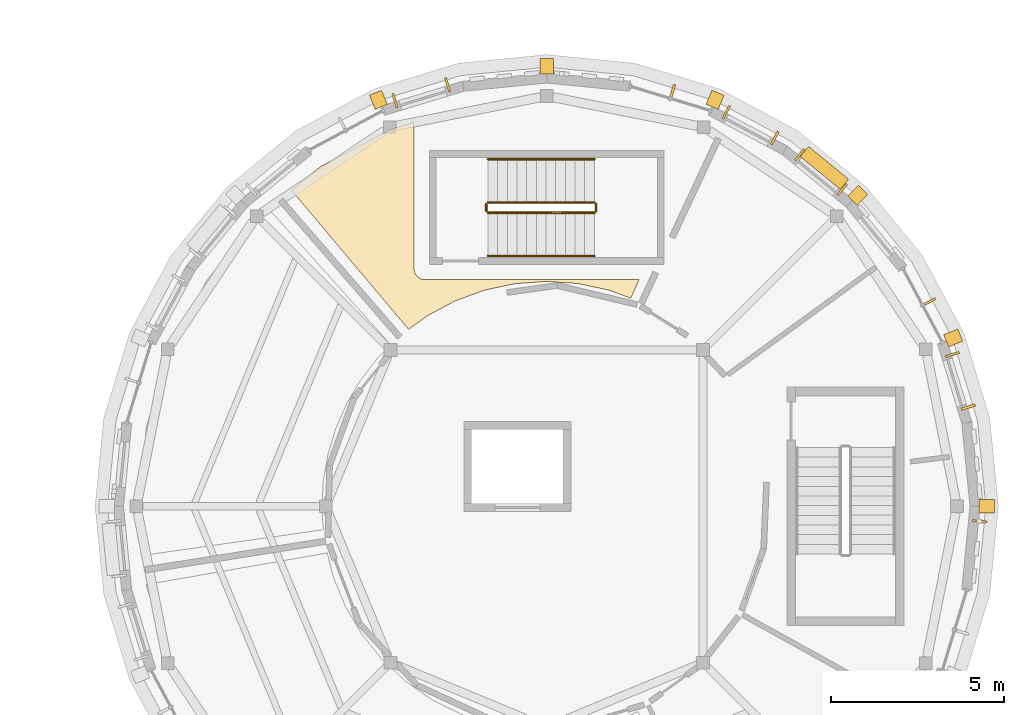
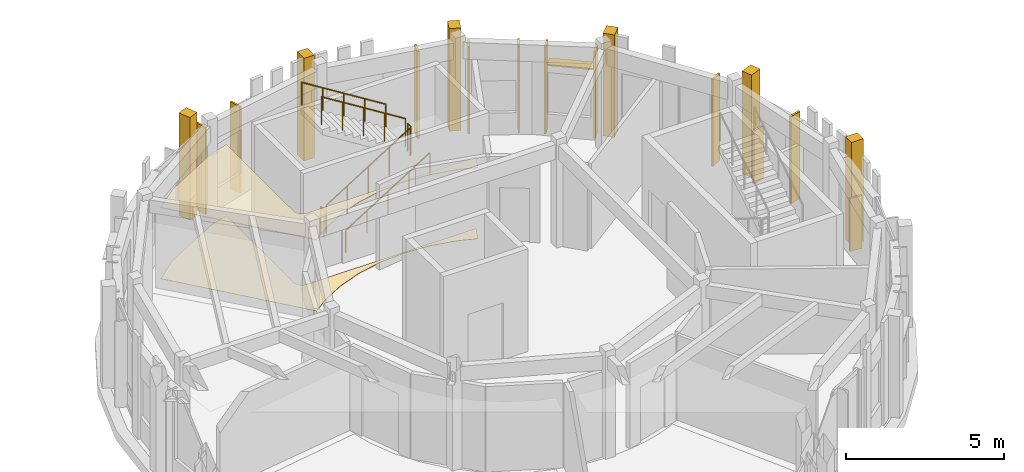
# One storey, part 58 of 58: 12 shading devices, 8 coverings, 6 railings.
"""IFC4 building model written with IfcOpenShell, lengths in metres."""

from ifc_helpers import new_model, si_unit, direction, frame, origin, origin_2d, place, context, subcontext, project, spatial, polyline, rectangle, circle, outline, extrude, material, layer, layer_set, type_object, element, save


model = new_model("IFC4")

# Units and contexts
model_context = context("Model", 3, precision=1e-05, world=origin(), true_north=direction((0.0, 1.0)))
body_context = subcontext(model_context, "Body", "Model", "MODEL_VIEW")
ifc_project = project(units=[si_unit("LENGTHUNIT", "METRE"), si_unit("AREAUNIT", "SQUARE_METRE"), si_unit("VOLUMEUNIT", "CUBIC_METRE"), si_unit("PLANEANGLEUNIT", "RADIAN"), si_unit("MASSUNIT", "GRAM", prefix="KILO")], contexts=[model_context])

# Site, building, storey
site_placement = place(None, origin())
site = spatial("IfcSite", under=ifc_project, at=site_placement, CompositionType="ELEMENT")
building_placement = place(site_placement, origin())
building = spatial("IfcBuilding", under=site, at=building_placement, Name="Aldenvaro Health Centre", CompositionType="ELEMENT")
storey_placement = place(building_placement, frame((0.0, 0.0, 8.75)))
storey = spatial("IfcBuildingStorey", under=building, at=storey_placement, Name="L02", CompositionType="ELEMENT", Elevation=8.75)

# Coverings
ifc_material_1 = material(Name="Hygienic Sealed Gypsum Ceiling")
ifc_layer_1 = layer(ifc_material_1, 0.02490234375, Name="Hygienic Sealed Gypsum Ceiling")
ifc_layer_set_1 = layer_set([ifc_layer_1], Name="Hygienic Sealed Gypsum Ceiling")
covering_type_1 = type_object("IfcCoveringType", Name="COV-CLG-GYP25", PredefinedType="CEILING", material=ifc_layer_set_1)
covering_1_placement = place(storey_placement, frame((0.0, 0.0, 2.75)))
element("IfcCovering", 1, at=covering_1_placement, inside=storey, type_object=covering_type_1, Name="D2-L02-R01 Suspended Ceiling", PredefinedType="CEILING", context=body_context, shape_type="SweptSolid", body=[
    extrude(outline(polyline([(156.319091796875, 105.75), (156.285888671875, 105.760009765625), (155.427978515625, 105.943115234375), (155.39501953125, 105.947998046875), (154.52001953125, 106.009033203125), (154.486083984375, 106.009033203125), (153.611083984375, 105.947998046875), (153.576904296875, 105.944091796875), (152.718994140625, 105.760986328125), (152.68701171875, 105.751953125), (151.863037109375, 105.450927734375), (151.83203125, 105.43701171875), (151.05810546875, 105.02490234375), (151.029052734375, 105.007080078125), (150.5009765625, 104.6220703125), (147.10888671875, 108.64990234375), (147.93408203125, 109.326904296875), (149.97705078125, 110.4189453125), (150.659912109375, 110.6259765625), (150.659912109375, 106.3798828125), (150.659912109375, 106.367919921875), (150.660888671875, 106.360107421875), (150.6630859375, 106.3369140625), (150.6640625, 106.3291015625), (150.6689453125, 106.305908203125), (150.6708984375, 106.298095703125), (150.677001953125, 106.27587890625), (150.679931640625, 106.26904296875), (150.68896484375, 106.2470703125), (150.69189453125, 106.239990234375), (150.7041015625, 106.218994140625), (150.7080078125, 106.2119140625), (150.720947265625, 106.193115234375), (150.72509765625, 106.18603515625), (150.739990234375, 106.16796875), (150.74609375, 106.162109375), (150.761962890625, 106.14599609375), (150.76806640625, 106.139892578125), (150.785888671875, 106.125), (150.79296875, 106.12109375), (150.81201171875, 106.10791015625), (150.819091796875, 106.10400390625), (150.840087890625, 106.092041015625), (150.846923828125, 106.089111328125), (150.868896484375, 106.080078125), (150.8759765625, 106.076904296875), (150.89794921875, 106.071044921875), (150.906005859375, 106.069091796875), (150.928955078125, 106.06396484375), (150.93701171875, 106.06298828125), (150.9599609375, 106.06103515625), (150.968017578125, 106.06005859375), (150.97998046875, 106.06005859375), (157.172119140625, 106.06005859375), (156.93310546875, 105.52587890625), (156.319091796875, 105.75)])), origin(), (0.0, 0.0, 1.0), 0.02490234375),
])
ifc_material_2 = material(Name="Honed Sonoran Buff Limestone", Category="masonry")
ifc_layer_2 = layer(ifc_material_2, 0.280029296875, Name="Honed Sonoran Buff Limestone", Category="masonry")
ifc_layer_set_2 = layer_set([ifc_layer_2], Name="Honed Sonoran Buff Limestone")
covering_type_2 = type_object("IfcCoveringType", Name="COV-CRN-STN", PredefinedType="CLADDING", material=ifc_layer_set_2)
for number, where, z_axis, x_axis, name in (
    (2, (167.239990234375, 99.5, 0.00048828125), (0.0, 0.0, 1.0), (1.0, 0.0, 0.0), "D2 L02 Engaged Classical Limestone Pilaster 01"),
    (3, (149.625, 111.27001953125, 0.00048828125), (0.0, 0.0, 1.0), (-0.382667560743, 0.923886106593, 0.0), "D2 L02 Engaged Classical Limestone Pilaster 12"),
    (4, (154.5, 112.239990234375, 0.00048828125), (0.0, 0.0, 1.0), (0.0, 1.0, 0.0), "D2 L02 Engaged Classical Limestone Pilaster 13"),
    (5, (159.375, 111.27001953125, 0.00048828125), (0.0, 0.0, 1.0), (0.382667560743, 0.923886106593, 0.0), "D2 L02 Engaged Classical Limestone Pilaster 14"),
    (6, (163.509033203125, 108.509033203125, 0.00048828125), (0.0, 0.0, 1.0), (0.707106781187, 0.707106781187, 0.0), "D2 L02 Engaged Classical Limestone Pilaster 15"),
    (7, (166.27001953125, 104.375, 0.00048828125), (0.0, 0.0, 1.0), (0.923886106593, 0.382667560743, 0.0), "D2 L02 Engaged Classical Limestone Pilaster 16"),
):
    element("IfcCovering", number, at=place(storey_placement, frame(where, z_axis=z_axis, x_axis=x_axis)), inside=storey, type_object=covering_type_2, Name=name, PredefinedType="CLADDING", context=body_context, shape_type="SweptSolid", body=[
        extrude(rectangle(XDim=0.43994140625, YDim=0.3798828125, at=origin_2d()), origin(), (0.0, 0.0, 1.0), 3.97509765625),
    ])
ifc_material_3 = material(Name="Seamless Homogeneous Sheet Vinyl")
ifc_layer_3 = layer(ifc_material_3, 0.013916015625, Name="Seamless Homogeneous Sheet Vinyl")
ifc_layer_set_3 = layer_set([ifc_layer_3], Name="Seamless Homogeneous Sheet Vinyl")
covering_type_3 = type_object("IfcCoveringType", Name="COV-FLR-VNL14", PredefinedType="FLOORING", material=ifc_layer_set_3)
covering_2_placement = place(storey_placement, origin())
element("IfcCovering", 8, at=covering_2_placement, inside=storey, type_object=covering_type_3, Name="D2-L02-R01 Flooring", PredefinedType="FLOORING", context=body_context, shape_type="SweptSolid", body=[
    extrude(outline(polyline([(156.319091796875, 105.75), (156.285888671875, 105.760009765625), (155.427978515625, 105.943115234375), (155.39501953125, 105.947998046875), (154.52001953125, 106.009033203125), (154.486083984375, 106.009033203125), (153.611083984375, 105.947998046875), (153.576904296875, 105.944091796875), (152.718994140625, 105.760986328125), (152.68701171875, 105.751953125), (151.863037109375, 105.450927734375), (151.83203125, 105.43701171875), (151.05810546875, 105.02490234375), (151.029052734375, 105.007080078125), (150.5009765625, 104.6220703125), (147.10888671875, 108.64990234375), (147.93408203125, 109.326904296875), (149.97705078125, 110.4189453125), (150.659912109375, 110.6259765625), (150.659912109375, 106.3798828125), (150.659912109375, 106.367919921875), (150.660888671875, 106.360107421875), (150.6630859375, 106.3369140625), (150.6640625, 106.3291015625), (150.6689453125, 106.305908203125), (150.6708984375, 106.298095703125), (150.677001953125, 106.27587890625), (150.679931640625, 106.26904296875), (150.68896484375, 106.2470703125), (150.69189453125, 106.239990234375), (150.7041015625, 106.218994140625), (150.7080078125, 106.2119140625), (150.720947265625, 106.193115234375), (150.72509765625, 106.18603515625), (150.739990234375, 106.16796875), (150.74609375, 106.162109375), (150.761962890625, 106.14599609375), (150.76806640625, 106.139892578125), (150.785888671875, 106.125), (150.79296875, 106.12109375), (150.81201171875, 106.10791015625), (150.819091796875, 106.10400390625), (150.840087890625, 106.092041015625), (150.846923828125, 106.089111328125), (150.868896484375, 106.080078125), (150.8759765625, 106.076904296875), (150.89794921875, 106.071044921875), (150.906005859375, 106.069091796875), (150.928955078125, 106.06396484375), (150.93701171875, 106.06298828125), (150.9599609375, 106.06103515625), (150.968017578125, 106.06005859375), (150.97998046875, 106.06005859375), (157.172119140625, 106.06005859375), (156.93310546875, 105.52587890625), (156.319091796875, 105.75)])), origin(), (0.0, 0.0, 1.0), 0.013916015625),
])

# Railings
ifc_material_4 = material(Name="Painted Architectural Steel", Category="steel")
railing_type_1 = type_object("IfcRailingType", Name="RL-BAL-INT", PredefinedType="BALUSTRADE", material=ifc_material_4)
railing_1_placement = place(storey_placement, frame((152.800048828125, 108.0, 0.175048828125)))
element("IfcRailing", 9, at=railing_1_placement, inside=storey, type_object=railing_type_1, Name="L02 ST-04 stair guard 1", PredefinedType="BALUSTRADE", context=body_context, shape_type="SweptSolid", body=[
    extrude(circle(Radius=0.02392578125, at=origin_2d()), frame((0.0, 0.0, 1.076171875), z_axis=(0.847979421464, 0.0, 0.530029150871), x_axis=(0.0, 1.0, 0.0)), (0.0, 0.0, 1.0), 3.632080078125),
    extrude(circle(Radius=0.02099609375, at=origin_2d()), origin(), (0.0, 0.0, 1.0), 1.052001953125),
    extrude(circle(Radius=0.02099609375, at=origin_2d()), frame((0.77001953125, 0.0, 0.481201171875)), (0.0, 0.0, 1.0), 1.052001953125),
    extrude(circle(Radius=0.02099609375, at=origin_2d()), frame((1.5400390625, 0.0, 0.96240234375)), (0.0, 0.0, 1.0), 1.052001953125),
    extrude(circle(Radius=0.02099609375, at=origin_2d()), frame((2.309814453125, 0.0, 1.44384765625)), (0.0, 0.0, 1.0), 1.052001953125),
    extrude(circle(Radius=0.02099609375, at=origin_2d()), frame((3.079833984375, 0.0, 1.925048828125)), (0.0, 0.0, 1.0), 1.052001953125),
])
railing_2_placement = place(storey_placement, frame((155.929931640625, 108.050048828125, 2.10009765625)))
element("IfcRailing", 10, at=railing_2_placement, inside=storey, type_object=railing_type_1, Name="L02 ST-04 stair guard 2", PredefinedType="BALUSTRADE", context=body_context, shape_type="SweptSolid", body=[
    extrude(circle(Radius=0.02392578125, at=origin_2d()), frame((0.0, 0.0, 1.076171875), z_axis=(0.0, 1.0, 0.0), x_axis=(-1.0, 0.0, 0.0)), (0.0, 0.0, 1.0), 0.199951171875),
    extrude(circle(Radius=0.02099609375, at=origin_2d()), origin(), (0.0, 0.0, 1.0), 1.052001953125),
    extrude(circle(Radius=0.02099609375, at=origin_2d()), frame((0.0, 0.199951171875, 0.0)), (0.0, 0.0, 1.0), 1.052001953125),
])
railing_3_placement = place(storey_placement, frame((155.8798828125, 108.300048828125, 2.27490234375)))
element("IfcRailing", 11, at=railing_3_placement, inside=storey, type_object=railing_type_1, Name="L02 ST-04 stair guard 3", PredefinedType="BALUSTRADE", context=body_context, shape_type="SweptSolid", body=[
    extrude(circle(Radius=0.02392578125, at=origin_2d()), frame((0.0, 0.0, 1.076171875), z_axis=(-0.847979421464, 0.0, 0.530029150871), x_axis=(0.0, -1.0, 0.0)), (0.0, 0.0, 1.0), 3.632080078125),
    extrude(circle(Radius=0.02099609375, at=origin_2d()), origin(), (0.0, 0.0, 1.0), 1.052001953125),
    extrude(circle(Radius=0.02099609375, at=origin_2d()), frame((-0.77001953125, 0.0, 0.481201171875)), (0.0, 0.0, 1.0), 1.052001953125),
    extrude(circle(Radius=0.02099609375, at=origin_2d()), frame((-1.5400390625, 0.0, 0.96240234375)), (0.0, 0.0, 1.0), 1.052001953125),
    extrude(circle(Radius=0.02099609375, at=origin_2d()), frame((-2.309814453125, 0.0, 1.44384765625)), (0.0, 0.0, 1.0), 1.052001953125),
    extrude(circle(Radius=0.02099609375, at=origin_2d()), frame((-3.079833984375, 0.0, 1.925048828125)), (0.0, 0.0, 1.0), 1.052001953125),
])
railing_4_placement = place(storey_placement, frame((152.75, 108.050048828125, 0.0)))
element("IfcRailing", 12, at=railing_4_placement, inside=storey, type_object=railing_type_1, Name="L02 ST-04 stair guard 4", PredefinedType="BALUSTRADE", context=body_context, shape_type="SweptSolid", body=[
    extrude(circle(Radius=0.02392578125, at=origin_2d()), frame((0.0, 0.0, 1.076171875), z_axis=(0.0, 1.0, 0.0), x_axis=(-1.0, 0.0, 0.0)), (0.0, 0.0, 1.0), 0.199951171875),
    extrude(circle(Radius=0.02099609375, at=origin_2d()), origin(), (0.0, 0.0, 1.0), 1.052001953125),
    extrude(circle(Radius=0.02099609375, at=origin_2d()), frame((0.0, 0.199951171875, 0.0)), (0.0, 0.0, 1.0), 1.052001953125),
])
railing_type_2 = type_object("IfcRailingType", Name="RL-HND-INT", PredefinedType="HANDRAIL", material=ifc_material_4)
railing_5_placement = place(storey_placement, frame((152.800048828125, 106.75, 0.175048828125)))
element("IfcRailing", 13, at=railing_5_placement, inside=storey, type_object=railing_type_2, Name="L02 ST-04 stair handrail 1", PredefinedType="HANDRAIL", context=body_context, shape_type="SweptSolid", body=[
    extrude(circle(Radius=0.02392578125, at=origin_2d()), frame((0.0, 0.0, 0.8759765625), z_axis=(0.847979421464, 0.0, 0.530029150871), x_axis=(0.0, 1.0, 0.0)), (0.0, 0.0, 1.0), 3.632080078125),
    extrude(circle(Radius=0.02099609375, at=origin_2d()), origin(), (0.0, 0.0, 1.0), 0.851806640625),
    extrude(circle(Radius=0.02099609375, at=origin_2d()), frame((0.77001953125, 0.0, 0.481201171875)), (0.0, 0.0, 1.0), 0.851806640625),
    extrude(circle(Radius=0.02099609375, at=origin_2d()), frame((1.5400390625, 0.0, 0.96240234375)), (0.0, 0.0, 1.0), 0.851806640625),
    extrude(circle(Radius=0.02099609375, at=origin_2d()), frame((2.309814453125, 0.0, 1.44384765625)), (0.0, 0.0, 1.0), 0.851806640625),
    extrude(circle(Radius=0.02099609375, at=origin_2d()), frame((3.079833984375, 0.0, 1.925048828125)), (0.0, 0.0, 1.0), 0.851806640625),
])
railing_6_placement = place(storey_placement, frame((155.8798828125, 109.550048828125, 2.27490234375)))
element("IfcRailing", 14, at=railing_6_placement, inside=storey, type_object=railing_type_2, Name="L02 ST-04 stair handrail 2", PredefinedType="HANDRAIL", context=body_context, shape_type="SweptSolid", body=[
    extrude(circle(Radius=0.02392578125, at=origin_2d()), frame((0.0, 0.0, 0.8759765625), z_axis=(-0.847979421464, 0.0, 0.530029150871), x_axis=(0.0, -1.0, 0.0)), (0.0, 0.0, 1.0), 3.632080078125),
    extrude(circle(Radius=0.02099609375, at=origin_2d()), origin(), (0.0, 0.0, 1.0), 0.851806640625),
    extrude(circle(Radius=0.02099609375, at=origin_2d()), frame((-0.77001953125, 0.0, 0.481201171875)), (0.0, 0.0, 1.0), 0.851806640625),
    extrude(circle(Radius=0.02099609375, at=origin_2d()), frame((-1.5400390625, 0.0, 0.96240234375)), (0.0, 0.0, 1.0), 0.851806640625),
    extrude(circle(Radius=0.02099609375, at=origin_2d()), frame((-2.309814453125, 0.0, 1.44384765625)), (0.0, 0.0, 1.0), 0.851806640625),
    extrude(circle(Radius=0.02099609375, at=origin_2d()), frame((-3.079833984375, 0.0, 1.925048828125)), (0.0, 0.0, 1.0), 0.851806640625),
])

# Shading devices
ifc_material_5 = material(Name="Douglas Fir Exterior Glulam GL28h", Category="wood")
shading_device_type_1 = type_object("IfcShadingDeviceType", Name="SHD-FIN-205", PredefinedType="USERDEFINED", material=ifc_material_5)
for number, where, z_axis, x_axis, name in (
    (15, (167.032958984375, 99.06494140625, -0.02001953125), (0.0, 0.0, 1.0), (-0.097914988926, -0.995194782414, 0.0), "D2 L02 Douglas fir fin 1.1"),
    (16, (166.2451171875, 103.89404296875, -0.02001953125), (0.0, 0.0, 1.0), (0.290441245116, -0.956892827403, 0.0), "D2 L02 Douglas fir fin 31.1"),
):
    element("IfcShadingDevice", number, at=place(storey_placement, frame(where, z_axis=z_axis, x_axis=x_axis)), inside=storey, type_object=shading_device_type_1, Name=name, ObjectType="FIN", PredefinedType="USERDEFINED", context=body_context, shape_type="SweptSolid", body=[
        extrude(rectangle(XDim=0.06494140625, YDim=0.419921875, at=origin_2d()), origin(), (0.0, 0.0, 1.0), 2.050048828125),
    ])
shading_device_type_2 = type_object("IfcShadingDeviceType", Name="SHD-FIN-340", PredefinedType="USERDEFINED", material=ifc_material_5)
shading_device_1_placement = place(storey_placement, frame((158.14306640625, 111.510009765625, -0.01953125), z_axis=(0.0, 0.0, 1.0), x_axis=(0.956892827403, -0.290441245116, 0.0)))
element("IfcShadingDevice", 17, at=shading_device_1_placement, inside=storey, type_object=shading_device_type_2, Name="D2 L02 vertical timber fin 26.0", ObjectType="FIN", PredefinedType="USERDEFINED", context=body_context, shape_type="SweptSolid", body=[
    extrude(rectangle(XDim=0.074951171875, YDim=0.419921875, at=origin_2d()), origin(), (0.0, 0.0, 1.0), 3.368896484375),
])
shading_device_type_3 = type_object("IfcShadingDeviceType", Name="SHD-FIN-380", PredefinedType="USERDEFINED", material=ifc_material_5)
shading_device_2_placement = place(storey_placement, frame((166.70703125, 102.3720703125, -0.01953125), z_axis=(0.0, 0.0, 1.0), x_axis=(0.290441245116, -0.956892827403, 0.0)))
element("IfcShadingDevice", 18, at=shading_device_2_placement, inside=storey, type_object=shading_device_type_3, Name="D2 L02 Douglas fir fin 31.3", ObjectType="FIN", PredefinedType="USERDEFINED", context=body_context, shape_type="SweptSolid", body=[
    extrude(rectangle(XDim=0.074951171875, YDim=0.419921875, at=origin_2d()), origin(), (0.0, 0.0, 1.0), 3.368896484375),
])
shading_device_type_4 = type_object("IfcShadingDeviceType", Name="SHD-FIN-400", PredefinedType="USERDEFINED", material=ifc_material_5)
shading_device_3_placement = place(storey_placement, frame((165.568115234375, 105.416015625, -0.01953125), z_axis=(0.0, 0.0, 1.0), x_axis=(0.471399336159, -0.881919874971, 0.0)))
element("IfcShadingDevice", 19, at=shading_device_3_placement, inside=storey, type_object=shading_device_type_4, Name="D2 L02 vertical timber fin 30.0", ObjectType="FIN", PredefinedType="USERDEFINED", context=body_context, shape_type="SweptSolid", body=[
    extrude(rectangle(XDim=0.06494140625, YDim=0.419921875, at=origin_2d()), origin(), (0.0, 0.0, 1.0), 3.368896484375),
])
shading_device_type_5 = type_object("IfcShadingDeviceType", Name="SHD-FIN-420", PredefinedType="USERDEFINED", material=ifc_material_5)
for number, where, z_axis, x_axis, name in (
    (20, (150.10595703125, 111.2451171875, -0.01953125), (0.0, 0.0, 1.0), (0.956892827403, 0.290441245116, 0.0), "D2 L02 Douglas fir fin 23.1"),
    (21, (151.6279296875, 111.70703125, -0.01953125), (0.0, 0.0, 1.0), (0.956892827403, 0.290441245116, 0.0), "D2 L02 Douglas fir fin 23.3"),
):
    element("IfcShadingDevice", number, at=place(storey_placement, frame(where, z_axis=z_axis, x_axis=x_axis)), inside=storey, type_object=shading_device_type_5, Name=name, ObjectType="FIN", PredefinedType="USERDEFINED", context=body_context, shape_type="SweptSolid", body=[
        extrude(rectangle(XDim=0.06494140625, YDim=0.419921875, at=origin_2d()), origin(), (0.0, 0.0, 1.0), 3.368896484375),
    ])
shading_device_type_6 = type_object("IfcShadingDeviceType", Name="SHD-FIN-435", PredefinedType="USERDEFINED", material=ifc_material_5)
for number, where, z_axis, x_axis, name in (
    (22, (161.824951171875, 109.678955078125, -0.01953125), (0.0, 0.0, 1.0), (0.773021639749, -0.634379653268, 0.0), "D2 L02 Douglas fir fin 28.1"),
    (23, (163.053955078125, 108.669921875, -0.01953125), (0.0, 0.0, 1.0), (0.773021639749, -0.634379653268, 0.0), "D2 L02 Douglas fir fin 28.3"),
):
    element("IfcShadingDevice", number, at=place(storey_placement, frame(where, z_axis=z_axis, x_axis=x_axis)), inside=storey, type_object=shading_device_type_6, Name=name, ObjectType="FIN", PredefinedType="USERDEFINED", context=body_context, shape_type="SweptSolid", body=[
        extrude(rectangle(XDim=0.06494140625, YDim=0.419921875, at=origin_2d()), origin(), (0.0, 0.0, 1.0), 3.368896484375),
    ])
shading_device_type_7 = type_object("IfcShadingDeviceType", Name="SHD-FIN-455", PredefinedType="USERDEFINED", material=ifc_material_5)
for number, where, z_axis, x_axis, name in (
    (24, (159.697998046875, 110.912109375, -0.01953125), (0.0, 0.0, 1.0), (0.881919874971, -0.471399336159, 0.0), "D2 L02 Douglas fir fin 27.1"),
    (25, (161.10107421875, 110.162109375, -0.01953125), (0.0, 0.0, 1.0), (0.881919874971, -0.471399336159, 0.0), "D2 L02 Douglas fir fin 27.3"),
):
    element("IfcShadingDevice", number, at=place(storey_placement, frame(where, z_axis=z_axis, x_axis=x_axis)), inside=storey, type_object=shading_device_type_7, Name=name, ObjectType="FIN", PredefinedType="USERDEFINED", context=body_context, shape_type="SweptSolid", body=[
        extrude(rectangle(XDim=0.06494140625, YDim=0.419921875, at=origin_2d()), origin(), (0.0, 0.0, 1.0), 3.368896484375),
    ])
shading_device_type_8 = type_object("IfcShadingDeviceType", Name="SHD-LVR-150", PredefinedType="JALOUSIE", material=ifc_material_5)
shading_device_4_placement = place(storey_placement, frame((162.541015625, 109.298095703125, 2.50244140625), z_axis=(0.0, 0.0, 1.0), x_axis=(0.773021639749, -0.634379653268, 0.0)))
element("IfcShadingDevice", 26, at=shading_device_4_placement, inside=storey, type_object=shading_device_type_8, Name="D2 L02 horizontal solar louvre 28", PredefinedType="JALOUSIE", context=body_context, shape_type="SweptSolid", body=[
    extrude(rectangle(XDim=1.5, YDim=0.3798828125, at=origin_2d()), origin(), (0.0, 0.0, 1.0), 0.054931640625),
])

save(model, "model.ifc")
